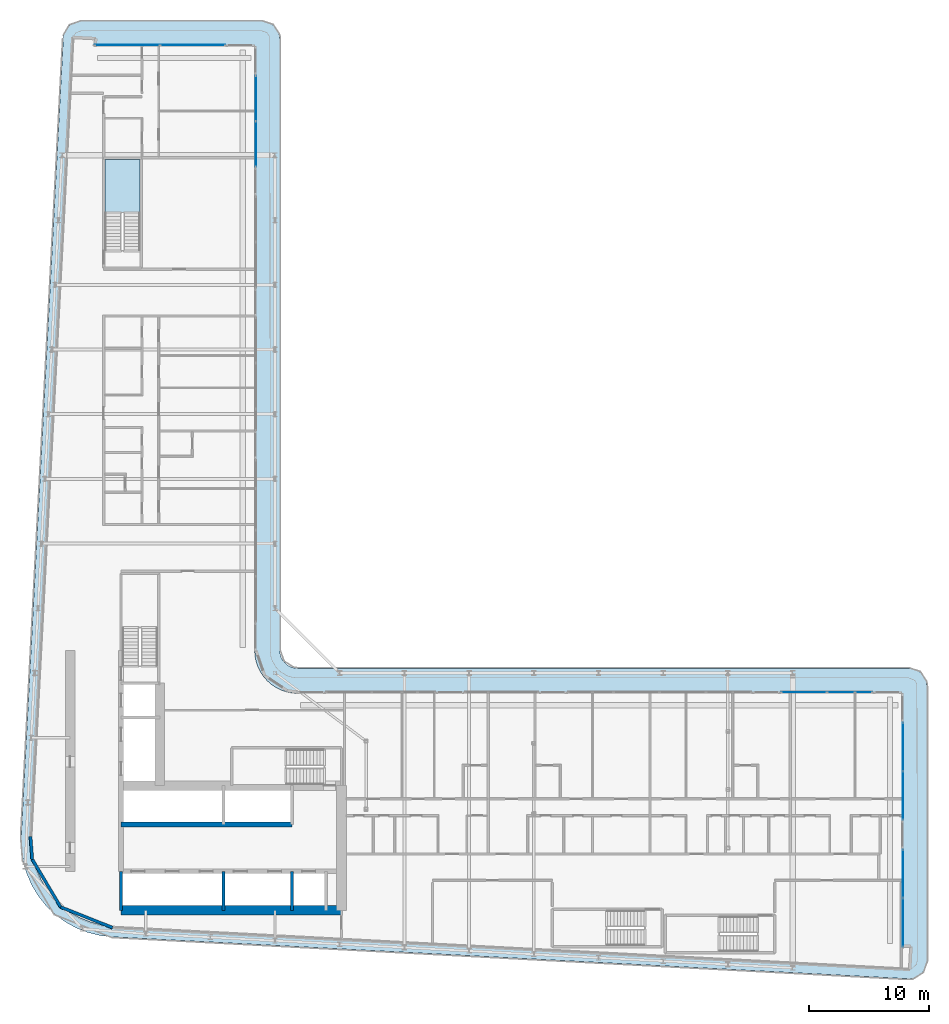
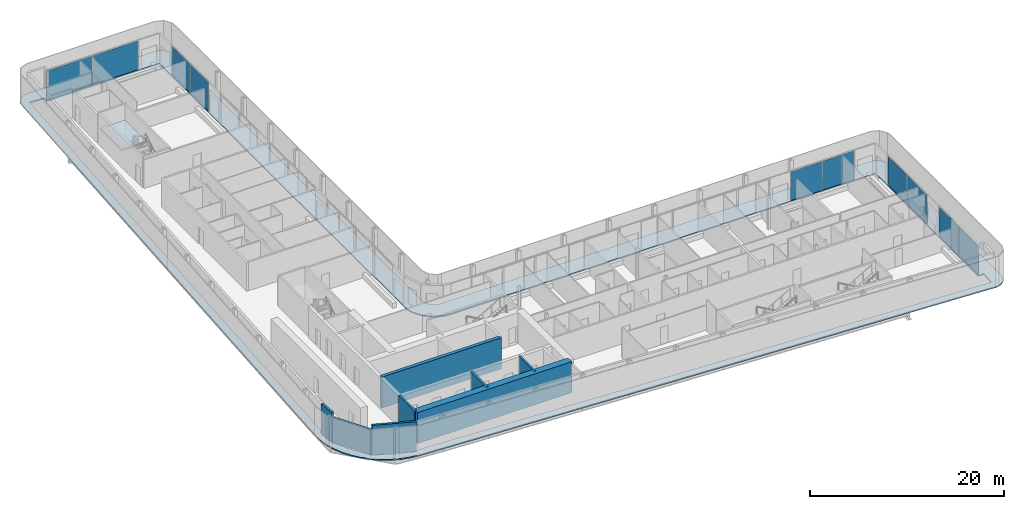
# One storey, part 13 of 28: 11 plates, 8 walls, 2 slabs, 6 elements without a shape of their own.
"""IFC4 building model written with IfcOpenShell, lengths in metres."""

from ifc_helpers import new_model, si_unit, direction, frame, frame_2d, origin, origin_2d, place, context, subcontext, project, spatial, polyline, rectangle, outline, extrude, material, layer, layer_set, type_object, element, aggregate, save


model = new_model("IFC4")

# Units and contexts
model_context = context("Model", 3, precision=1e-05, world=origin(), true_north=direction((0.0, 1.0)))
body_context = subcontext(model_context, "Body", "Model", "MODEL_VIEW")
ifc_project = project(units=[si_unit("LENGTHUNIT", "METRE"), si_unit("AREAUNIT", "SQUARE_METRE"), si_unit("VOLUMEUNIT", "CUBIC_METRE"), si_unit("PLANEANGLEUNIT", "RADIAN"), si_unit("MASSUNIT", "GRAM", prefix="KILO")], contexts=[model_context])

# Site, building, storey
site_placement = place(None, origin())
site = spatial("IfcSite", under=ifc_project, at=site_placement, CompositionType="ELEMENT")
building_placement = place(site_placement, origin())
building = spatial("IfcBuilding", under=site, at=building_placement, Name="Kheshtan School and Residences Tower", CompositionType="ELEMENT")
storey_placement = place(building_placement, frame((0.0, 0.0, 191.60009765625)))
storey = spatial("IfcBuildingStorey", under=building, at=storey_placement, Name="L45", CompositionType="ELEMENT", Elevation=191.60009765625)

# Curtain wall, plates
ifc_material_1 = material(Name="Clear low-e glass in thermally broken aluminium frame", Category="aluminium")
ifc_layer_1 = layer(ifc_material_1, 0.199951171875)
ifc_layer_set_1 = layer_set([ifc_layer_1], Name="Curtain wall CW-L")
curtain_wall_type = type_object("IfcCurtainWallType", Name="Curtain wall CW-L", PredefinedType="NOTDEFINED", material=ifc_layer_set_1)
curtain_wall_1_placement = place(storey_placement, origin())
curtain_wall_1 = element("IfcCurtainWall", 1, at=curtain_wall_1_placement, inside=storey, type_object=curtain_wall_type, Name="Curtain wall CWL7", PredefinedType="NOTDEFINED")
ifc_layer_2 = layer(ifc_material_1, 0.031982421875)
ifc_layer_set_2 = layer_set([ifc_layer_2], Name="CW-L glass panel")
plate_type = type_object("IfcPlateType", Name="CW-L glass panel", PredefinedType="CURTAIN_PANEL", material=ifc_layer_set_2)
plate_1_placement = place(storey_placement, frame((35.259033203125, 98.0, 0.0), z_axis=(0.0, 0.0, 1.0), x_axis=(1.0, 0.0, 0.0)))
plate_1 = element("IfcPlate", 2, at=plate_1_placement, type_object=plate_type, Name="CWL7 panel 1.1", PredefinedType="CURTAIN_PANEL", context=body_context, shape_type="SweptSolid", body=[
    extrude(rectangle(XDim=5.4140625, YDim=0.031982421875, at=origin_2d()), origin(), (0.0, 0.0, 1.0), 3.6298828125),
])
plate_2_placement = place(storey_placement, frame((40.73291015625, 98.0, 0.0), z_axis=(0.0, 0.0, 1.0), x_axis=(1.0, 0.0, 0.0)))
plate_2 = element("IfcPlate", 3, at=plate_2_placement, type_object=plate_type, Name="CWL7 panel 2.1", PredefinedType="CURTAIN_PANEL", context=body_context, shape_type="SweptSolid", body=[
    extrude(rectangle(XDim=5.4140625, YDim=0.031982421875, at=origin_2d()), origin(), (0.0, 0.0, 1.0), 3.6298828125),
])
aggregate(curtain_wall_1, [plate_1, plate_2])

curtain_wall_2_placement = place(storey_placement, origin())
curtain_wall_2 = element("IfcCurtainWall", 4, at=curtain_wall_2_placement, inside=storey, type_object=curtain_wall_type, Name="Curtain wall CWL8", PredefinedType="NOTDEFINED")
plate_3_placement = place(storey_placement, frame((46.0, 93.5615234375, 0.0), z_axis=(0.0, 0.0, 1.0), x_axis=(0.0, -1.0, 0.0)))
plate_3 = element("IfcPlate", 5, at=plate_3_placement, type_object=plate_type, Name="CWL8 panel 1.1", PredefinedType="CURTAIN_PANEL", context=body_context, shape_type="SweptSolid", body=[
    extrude(rectangle(XDim=3.757080078125, YDim=0.031982421875, at=origin_2d()), origin(), (0.0, 0.0, 1.0), 3.6298828125),
])
plate_4_placement = place(storey_placement, frame((46.0, 89.744384765625, 0.0), z_axis=(0.0, 0.0, 1.0), x_axis=(0.0, -1.0, 0.0)))
plate_4 = element("IfcPlate", 6, at=plate_4_placement, type_object=plate_type, Name="CWL8 panel 2.1", PredefinedType="CURTAIN_PANEL", context=body_context, shape_type="SweptSolid", body=[
    extrude(rectangle(XDim=3.757080078125, YDim=0.031982421875, at=origin_2d()), origin(), (0.0, 0.0, 1.0), 3.6298828125),
])
aggregate(curtain_wall_2, [plate_3, plate_4])

curtain_wall_3_placement = place(storey_placement, origin())
curtain_wall_3 = element("IfcCurtainWall", 7, at=curtain_wall_3_placement, inside=storey, type_object=curtain_wall_type, Name="Curtain wall CWL12k", PredefinedType="NOTDEFINED")
plate_5_placement = place(storey_placement, frame((91.744384765625, 44.0, 0.0), z_axis=(0.0, 0.0, 1.0), x_axis=(1.0, 0.0, 0.0)))
plate_5 = element("IfcPlate", 8, at=plate_5_placement, type_object=plate_type, Name="CWL12k panel 1.1", PredefinedType="CURTAIN_PANEL", context=body_context, shape_type="SweptSolid", body=[
    extrude(rectangle(XDim=3.757080078125, YDim=0.031982421875, at=origin_2d()), origin(), (0.0, 0.0, 1.0), 3.6298828125),
])
plate_6_placement = place(storey_placement, frame((94.826416015625, 44.0, 0.0), z_axis=(0.0, 0.0, 1.0), x_axis=(1.0, 0.0, 0.0)))
plate_6 = element("IfcPlate", 9, at=plate_6_placement, type_object=plate_type, Name="CWL12k panel 2.1", PredefinedType="CURTAIN_PANEL", context=body_context, shape_type="SweptSolid", body=[
    extrude(rectangle(XDim=2.287109375, YDim=0.031982421875, at=origin_2d()), origin(), (0.0, 0.0, 1.0), 3.6298828125),
])
plate_7_placement = place(storey_placement, frame((96.735107421875, 44.0, 0.0), z_axis=(0.0, 0.0, 1.0), x_axis=(1.0, 0.0, 0.0)))
plate_7 = element("IfcPlate", 10, at=plate_7_placement, type_object=plate_type, Name="CWL12k panel 3.1", PredefinedType="CURTAIN_PANEL", context=body_context, shape_type="SweptSolid", body=[
    extrude(rectangle(XDim=1.409912109375, YDim=0.031982421875, at=origin_2d()), origin(), (0.0, 0.0, 1.0), 3.6298828125),
])
aggregate(curtain_wall_3, [plate_5, plate_6, plate_7])

curtain_wall_4_placement = place(storey_placement, origin())
curtain_wall_4 = element("IfcCurtainWall", 11, at=curtain_wall_4_placement, inside=storey, type_object=curtain_wall_type, Name="Curtain wall CWL13b", PredefinedType="NOTDEFINED")
plate_8_placement = place(storey_placement, frame((100.0, 39.436767578125, 0.0), z_axis=(0.0, 0.0, 1.0), x_axis=(0.0, -1.0, 0.0)))
plate_8 = element("IfcPlate", 12, at=plate_8_placement, type_object=plate_type, Name="CWL13b panel 1.1", PredefinedType="CURTAIN_PANEL", context=body_context, shape_type="SweptSolid", body=[
    extrude(rectangle(XDim=4.006591796875, YDim=0.031982421875, at=origin_2d()), origin(), (0.0, 0.0, 1.0), 3.6298828125),
])
plate_9_placement = place(storey_placement, frame((100.0, 35.370361328125, 0.0), z_axis=(0.0, 0.0, 1.0), x_axis=(0.0, -1.0, 0.0)))
plate_9 = element("IfcPlate", 13, at=plate_9_placement, type_object=plate_type, Name="CWL13b panel 2.1", PredefinedType="CURTAIN_PANEL", context=body_context, shape_type="SweptSolid", body=[
    extrude(rectangle(XDim=4.006591796875, YDim=0.031982421875, at=origin_2d()), origin(), (0.0, 0.0, 1.0), 3.6298828125),
])
aggregate(curtain_wall_4, [plate_8, plate_9])

curtain_wall_5_placement = place(storey_placement, origin())
curtain_wall_5 = element("IfcCurtainWall", 14, at=curtain_wall_5_placement, inside=storey, type_object=curtain_wall_type, Name="Curtain wall CWL13b", PredefinedType="NOTDEFINED")
plate_10_placement = place(storey_placement, frame((100.0, 28.84375, 0.0), z_axis=(0.0, 0.0, 1.0), x_axis=(0.0, -1.0, 0.0)))
plate_10 = element("IfcPlate", 15, at=plate_10_placement, type_object=plate_type, Name="CWL13b panel 1.1", PredefinedType="CURTAIN_PANEL", context=body_context, shape_type="SweptSolid", body=[
    extrude(rectangle(XDim=4.006591796875, YDim=0.031982421875, at=origin_2d()), origin(), (0.0, 0.0, 1.0), 3.6298828125),
])
plate_11_placement = place(storey_placement, frame((100.0, 24.77734375, 0.0), z_axis=(0.0, 0.0, 1.0), x_axis=(0.0, -1.0, 0.0)))
plate_11 = element("IfcPlate", 16, at=plate_11_placement, type_object=plate_type, Name="CWL13b panel 2.1", PredefinedType="CURTAIN_PANEL", context=body_context, shape_type="SweptSolid", body=[
    extrude(rectangle(XDim=4.006591796875, YDim=0.031982421875, at=origin_2d()), origin(), (0.0, 0.0, 1.0), 3.6298828125),
])
aggregate(curtain_wall_5, [plate_10, plate_11])

# Slab
ifc_material_2 = material(Name="Concrete C40/50", Category="concrete")
ifc_layer_3 = layer(ifc_material_2, 0.14990234375)
ifc_layer_set_3 = layer_set([ifc_layer_3], Name="Loggia balcony slab 150 Concrete C40/50")
slab_type_1 = type_object("IfcSlabType", Name="Loggia balcony slab 150 Concrete C40/50", PredefinedType="FLOOR", material=ifc_layer_set_3)
slab_1_placement = place(storey_placement, frame((0.0, 0.0, -0.150146484375)))
element("IfcSlab", 17, at=slab_1_placement, inside=storey, type_object=slab_type_1, Name="Loggia balcony slab L45", PredefinedType="FLOOR", context=body_context, shape_type="SweptSolid", body=[
    extrude(outline(polyline([(28.4580078125, 26.222900390625), (28.45703125, 26.222900390625), (28.45703125, 26.22412109375), (28.4560546875, 26.22412109375), (27.81494140625, 27.0390625), (27.281005859375, 27.93798828125), (26.867919921875, 28.89990234375), (26.583984375, 29.89990234375), (26.583984375, 29.906982421875), (26.43408203125, 30.943115234375), (26.419921875, 31.989013671875), (29.925048828125, 98.5791015625), (29.930908203125, 98.626953125), (29.930908203125, 98.6279296875), (29.929931640625, 98.6279296875), (29.929931640625, 98.62890625), (29.928955078125, 98.62890625), (29.928955078125, 98.6298828125), (29.927978515625, 98.6298828125), (29.927978515625, 98.631103515625), (29.927001953125, 98.631103515625), (29.927001953125, 98.632080078125), (29.927001953125, 98.633056640625), (29.945068359375, 98.781005859375), (29.945068359375, 98.783935546875), (29.945068359375, 98.784912109375), (29.946044921875, 98.784912109375), (29.946044921875, 98.785888671875), (29.947021484375, 98.785888671875), (29.947021484375, 98.787109375), (29.947998046875, 98.787109375), (29.948974609375, 98.787109375), (29.948974609375, 98.7880859375), (29.949951171875, 98.7880859375), (29.949951171875, 98.7890625), (29.949951171875, 98.791015625), (30.0029296875, 98.98388671875), (30.083984375, 99.175048828125), (30.18896484375, 99.35302734375), (30.31103515625, 99.507080078125), (30.31201171875, 99.507080078125), (30.31201171875, 99.508056640625), (30.31298828125, 99.508056640625), (30.31298828125, 99.509033203125), (30.31396484375, 99.509033203125), (30.31396484375, 99.510009765625), (30.31494140625, 99.510009765625), (30.31494140625, 99.510986328125), (30.31591796875, 99.510986328125), (30.31591796875, 99.511962890625), (30.31689453125, 99.511962890625), (30.31689453125, 99.512939453125), (30.318115234375, 99.512939453125), (30.320068359375, 99.512939453125), (30.321044921875, 99.512939453125), (30.321044921875, 99.513916015625), (30.468017578125, 99.656982421875), (30.468994140625, 99.656982421875), (30.468994140625, 99.657958984375), (30.469970703125, 99.657958984375), (30.469970703125, 99.658935546875), (30.470947265625, 99.658935546875), (30.470947265625, 99.659912109375), (30.471923828125, 99.659912109375), (30.471923828125, 99.660888671875), (30.472900390625, 99.660888671875), (30.472900390625, 99.662109375), (30.47412109375, 99.662109375), (30.47412109375, 99.6630859375), (30.47509765625, 99.6630859375), (30.47509765625, 99.6640625), (30.635986328125, 99.777099609375), (30.820068359375, 99.873046875), (31.007080078125, 99.943115234375), (31.013916015625, 99.943115234375), (31.217041015625, 99.986083984375), (31.423095703125, 100.0), (46.5, 100.0), (46.696044921875, 99.987060546875), (46.887939453125, 99.948974609375), (46.89501953125, 99.948974609375), (47.073974609375, 99.885986328125), (47.243896484375, 99.801025390625), (47.2451171875, 99.801025390625), (47.2470703125, 99.801025390625), (47.248046875, 99.801025390625), (47.248046875, 99.802001953125), (47.2490234375, 99.802001953125), (47.2490234375, 99.802978515625), (47.25, 99.802978515625), (47.2529296875, 99.802978515625), (47.25390625, 99.802978515625), (47.25390625, 99.802001953125), (47.2548828125, 99.802001953125), (47.2548828125, 99.801025390625), (47.256103515625, 99.801025390625), (47.256103515625, 99.800048828125), (47.257080078125, 99.800048828125), (47.257080078125, 99.799072265625), (47.258056640625, 99.799072265625), (47.258056640625, 99.798095703125), (47.412109375, 99.696044921875), (47.4130859375, 99.696044921875), (47.4130859375, 99.695068359375), (47.4140625, 99.695068359375), (47.4140625, 99.694091796875), (47.4140625, 99.68994140625), (47.4140625, 99.68896484375), (47.4150390625, 99.68896484375), (47.4150390625, 99.68798828125), (47.416015625, 99.68798828125), (47.416015625, 99.68701171875), (47.4169921875, 99.68701171875), (47.4169921875, 99.68603515625), (47.554931640625, 99.568115234375), (47.554931640625, 99.56689453125), (47.555908203125, 99.56689453125), (47.555908203125, 99.56591796875), (47.556884765625, 99.56591796875), (47.556884765625, 99.56494140625), (47.55810546875, 99.56494140625), (47.55810546875, 99.56396484375), (47.55908203125, 99.56396484375), (47.55908203125, 99.56298828125), (47.56005859375, 99.56298828125), (47.56005859375, 99.56201171875), (47.56103515625, 99.56201171875), (47.56201171875, 99.56103515625), (47.56201171875, 99.56005859375), (47.56298828125, 99.56005859375), (47.56298828125, 99.55908203125), (47.56396484375, 99.55908203125), (47.56396484375, 99.55810546875), (47.56494140625, 99.55810546875), (47.56494140625, 99.556884765625), (47.56591796875, 99.556884765625), (47.56591796875, 99.555908203125), (47.56689453125, 99.555908203125), (47.56689453125, 99.554931640625), (47.568115234375, 99.554931640625), (47.68505859375, 99.41796875), (47.68603515625, 99.41796875), (47.68603515625, 99.4169921875), (47.68701171875, 99.4169921875), (47.68701171875, 99.416015625), (47.68798828125, 99.416015625), (47.68798828125, 99.4150390625), (47.68896484375, 99.4150390625), (47.68896484375, 99.4140625), (47.68994140625, 99.4140625), (47.694091796875, 99.4140625), (47.695068359375, 99.4140625), (47.695068359375, 99.4130859375), (47.696044921875, 99.4130859375), (47.696044921875, 99.412109375), (47.797119140625, 99.259033203125), (47.798095703125, 99.259033203125), (47.798095703125, 99.258056640625), (47.799072265625, 99.258056640625), (47.799072265625, 99.257080078125), (47.800048828125, 99.257080078125), (47.800048828125, 99.256103515625), (47.801025390625, 99.256103515625), (47.801025390625, 99.2548828125), (47.802001953125, 99.2548828125), (47.802001953125, 99.25390625), (47.802978515625, 99.25390625), (47.802978515625, 99.2529296875), (47.802978515625, 99.25), (47.802978515625, 99.2490234375), (47.802001953125, 99.2490234375), (47.802001953125, 99.248046875), (47.801025390625, 99.248046875), (47.801025390625, 99.2470703125), (47.801025390625, 99.243896484375), (47.801025390625, 99.242919921875), (47.885986328125, 99.073974609375), (47.948974609375, 98.89501953125), (47.948974609375, 98.887939453125), (47.987060546875, 98.696044921875), (48.0, 98.5), (48.0, 47.5), (48.012939453125, 47.303955078125), (48.051025390625, 47.113037109375), (48.051025390625, 47.10693359375), (48.051025390625, 47.10595703125), (48.114013671875, 46.926025390625), (48.200927734375, 46.75), (48.31005859375, 46.5869140625), (48.431884765625, 46.444091796875), (48.43310546875, 46.444091796875), (48.43310546875, 46.443115234375), (48.43408203125, 46.443115234375), (48.43408203125, 46.44189453125), (48.43505859375, 46.44189453125), (48.43505859375, 46.44091796875), (48.43603515625, 46.44091796875), (48.43603515625, 46.43994140625), (48.43701171875, 46.43994140625), (48.43701171875, 46.43896484375), (48.43798828125, 46.43896484375), (48.43896484375, 46.43798828125), (48.43896484375, 46.43701171875), (48.43994140625, 46.43701171875), (48.43994140625, 46.43603515625), (48.44091796875, 46.43603515625), (48.44091796875, 46.43505859375), (48.44189453125, 46.43505859375), (48.44189453125, 46.43408203125), (48.443115234375, 46.43408203125), (48.443115234375, 46.43310546875), (48.444091796875, 46.43310546875), (48.444091796875, 46.431884765625), (48.5869140625, 46.31005859375), (48.75, 46.200927734375), (48.926025390625, 46.114013671875), (49.10595703125, 46.051025390625), (49.10693359375, 46.051025390625), (49.113037109375, 46.051025390625), (49.303955078125, 46.012939453125), (49.5, 46.0), (100.5, 46.0), (100.696044921875, 45.987060546875), (100.887939453125, 45.948974609375), (100.89501953125, 45.948974609375), (101.073974609375, 45.885986328125), (101.241943359375, 45.801025390625), (101.242919921875, 45.801025390625), (101.2470703125, 45.801025390625), (101.248046875, 45.801025390625), (101.248046875, 45.802001953125), (101.2490234375, 45.802001953125), (101.2490234375, 45.802978515625), (101.25, 45.802978515625), (101.2529296875, 45.802978515625), (101.25390625, 45.802978515625), (101.25390625, 45.802001953125), (101.2548828125, 45.802001953125), (101.2548828125, 45.801025390625), (101.256103515625, 45.801025390625), (101.256103515625, 45.800048828125), (101.257080078125, 45.800048828125), (101.257080078125, 45.799072265625), (101.258056640625, 45.799072265625), (101.258056640625, 45.798095703125), (101.259033203125, 45.798095703125), (101.259033203125, 45.797119140625), (101.260009765625, 45.797119140625), (101.260009765625, 45.7958984375), (101.412109375, 45.696044921875), (101.4130859375, 45.696044921875), (101.4130859375, 45.695068359375), (101.4140625, 45.695068359375), (101.4140625, 45.694091796875), (101.4140625, 45.68994140625), (101.4140625, 45.68896484375), (101.4150390625, 45.68896484375), (101.4150390625, 45.68798828125), (101.416015625, 45.68798828125), (101.416015625, 45.68701171875), (101.4169921875, 45.68701171875), (101.4169921875, 45.68603515625), (101.41796875, 45.68603515625), (101.41796875, 45.68505859375), (101.4189453125, 45.68505859375), (101.4189453125, 45.68408203125), (101.554931640625, 45.568115234375), (101.554931640625, 45.56689453125), (101.555908203125, 45.56689453125), (101.555908203125, 45.56591796875), (101.556884765625, 45.56591796875), (101.556884765625, 45.56494140625), (101.55810546875, 45.56494140625), (101.55810546875, 45.56396484375), (101.55908203125, 45.56396484375), (101.55908203125, 45.56298828125), (101.56005859375, 45.56298828125), (101.56005859375, 45.56201171875), (101.56103515625, 45.56201171875), (101.56201171875, 45.56103515625), (101.56201171875, 45.56005859375), (101.56298828125, 45.56005859375), (101.56298828125, 45.55908203125), (101.56396484375, 45.55908203125), (101.56396484375, 45.55810546875), (101.56494140625, 45.55810546875), (101.56494140625, 45.556884765625), (101.56591796875, 45.556884765625), (101.56591796875, 45.555908203125), (101.56689453125, 45.555908203125), (101.56689453125, 45.554931640625), (101.568115234375, 45.554931640625), (101.681884765625, 45.4208984375), (101.68310546875, 45.4208984375), (101.68310546875, 45.419921875), (101.68408203125, 45.419921875), (101.68408203125, 45.4189453125), (101.68505859375, 45.4189453125), (101.68505859375, 45.41796875), (101.68603515625, 45.41796875), (101.68603515625, 45.4169921875), (101.68701171875, 45.4169921875), (101.68701171875, 45.416015625), (101.68798828125, 45.416015625), (101.68798828125, 45.4150390625), (101.68896484375, 45.4150390625), (101.68896484375, 45.4140625), (101.68994140625, 45.4140625), (101.694091796875, 45.4140625), (101.695068359375, 45.4140625), (101.695068359375, 45.4130859375), (101.696044921875, 45.4130859375), (101.696044921875, 45.412109375), (101.7939453125, 45.261962890625), (101.794921875, 45.261962890625), (101.794921875, 45.260986328125), (101.7958984375, 45.260986328125), (101.7958984375, 45.260009765625), (101.797119140625, 45.260009765625), (101.797119140625, 45.259033203125), (101.798095703125, 45.259033203125), (101.798095703125, 45.258056640625), (101.799072265625, 45.258056640625), (101.799072265625, 45.257080078125), (101.800048828125, 45.257080078125), (101.800048828125, 45.256103515625), (101.801025390625, 45.256103515625), (101.801025390625, 45.2548828125), (101.802001953125, 45.2548828125), (101.802001953125, 45.25390625), (101.802978515625, 45.25390625), (101.802978515625, 45.2529296875), (101.802978515625, 45.25), (101.802978515625, 45.2490234375), (101.802001953125, 45.2490234375), (101.802001953125, 45.248046875), (101.801025390625, 45.248046875), (101.801025390625, 45.2470703125), (101.801025390625, 45.240966796875), (101.801025390625, 45.239990234375), (101.885986328125, 45.073974609375), (101.948974609375, 44.89501953125), (101.948974609375, 44.887939453125), (101.987060546875, 44.696044921875), (102.0, 44.5), (102.0, 21.5810546875), (101.986083984375, 21.37890625), (101.945068359375, 21.179931640625), (101.945068359375, 21.173095703125), (101.8779296875, 20.989013671875), (101.785888671875, 20.80810546875), (101.6708984375, 20.64306640625), (101.6708984375, 20.64208984375), (101.6708984375, 20.64111328125), (101.6708984375, 20.639892578125), (101.672119140625, 20.639892578125), (101.672119140625, 20.638916015625), (101.672119140625, 20.636962890625), (101.672119140625, 20.635986328125), (101.6708984375, 20.635986328125), (101.6708984375, 20.635009765625), (101.5380859375, 20.491943359375), (101.534912109375, 20.489013671875), (101.533935546875, 20.489013671875), (101.533935546875, 20.488037109375), (101.532958984375, 20.488037109375), (101.531005859375, 20.488037109375), (101.530029296875, 20.488037109375), (101.530029296875, 20.489013671875), (101.529052734375, 20.489013671875), (101.528076171875, 20.489013671875), (101.527099609375, 20.489013671875), (101.3759765625, 20.364013671875), (101.2041015625, 20.256103515625), (101.01904296875, 20.174072265625), (100.8310546875, 20.116943359375), (100.823974609375, 20.116943359375), (100.6240234375, 20.0859375), (100.4208984375, 20.0830078125), (33.989013671875, 23.580078125), (33.94189453125, 23.5859375), (33.94091796875, 23.5859375), (33.93994140625, 23.5859375), (33.93994140625, 23.5849609375), (33.93896484375, 23.5849609375), (33.93896484375, 23.583984375), (33.93798828125, 23.583984375), (33.93798828125, 23.5830078125), (33.93701171875, 23.5830078125), (33.93701171875, 23.58203125), (33.93603515625, 23.58203125), (33.93505859375, 23.58203125), (32.952880859375, 23.697998046875), (32.949951171875, 23.697998046875), (32.948974609375, 23.697998046875), (32.948974609375, 23.698974609375), (32.947998046875, 23.698974609375), (32.947998046875, 23.699951171875), (32.947021484375, 23.699951171875), (32.947021484375, 23.700927734375), (32.947021484375, 23.702880859375), (32.947021484375, 23.7041015625), (32.946044921875, 23.7041015625), (32.946044921875, 23.705078125), (32.945068359375, 23.705078125), (32.944091796875, 23.705078125), (31.93603515625, 23.9609375), (31.928955078125, 23.9609375), (30.964111328125, 24.34912109375), (30.051025390625, 24.860107421875), (29.218994140625, 25.47900390625), (29.218994140625, 25.47998046875), (29.218017578125, 25.47998046875), (29.218017578125, 25.48095703125), (29.217041015625, 25.48095703125), (29.217041015625, 25.48193359375), (29.216064453125, 25.48193359375), (29.216064453125, 25.48291015625), (29.215087890625, 25.48291015625), (29.215087890625, 25.48388671875), (29.214111328125, 25.48388671875), (29.214111328125, 25.485107421875), (29.212890625, 25.485107421875), (29.212890625, 25.486083984375), (29.2119140625, 25.486083984375), (28.466064453125, 26.217041015625), (28.466064453125, 26.218017578125), (28.465087890625, 26.218017578125), (28.462890625, 26.218017578125), (28.4619140625, 26.218017578125), (28.4619140625, 26.218994140625), (28.4609375, 26.218994140625), (28.4609375, 26.219970703125), (28.4599609375, 26.219970703125), (28.4599609375, 26.220947265625), (28.458984375, 26.220947265625), (28.458984375, 26.221923828125), (28.4580078125, 26.221923828125), (28.4580078125, 26.222900390625)]), holes=[polyline([(29.12890625, 26.824951171875), (29.12890625, 26.823974609375), (29.1298828125, 26.823974609375), (29.1298828125, 26.822998046875), (29.131103515625, 26.822998046875), (29.131103515625, 26.822021484375), (29.132080078125, 26.822021484375), (29.132080078125, 26.821044921875), (29.133056640625, 26.821044921875), (29.133056640625, 26.820068359375), (29.134033203125, 26.820068359375), (29.7958984375, 26.173095703125), (29.7958984375, 26.172119140625), (29.797119140625, 26.172119140625), (29.798095703125, 26.172119140625), (29.799072265625, 26.172119140625), (29.799072265625, 26.1708984375), (29.800048828125, 26.1708984375), (29.800048828125, 26.169921875), (29.801025390625, 26.169921875), (29.801025390625, 26.1689453125), (29.802001953125, 26.1689453125), (29.802001953125, 26.16796875), (29.802978515625, 26.16796875), (29.802978515625, 26.1669921875), (29.803955078125, 26.1669921875), (29.803955078125, 26.166015625), (30.541015625, 25.616943359375), (31.35205078125, 25.1630859375), (32.208984375, 24.819091796875), (32.2099609375, 24.819091796875), (32.216064453125, 24.819091796875), (33.114990234375, 24.590087890625), (34.06591796875, 24.47705078125), (100.43798828125, 20.98291015625), (100.465087890625, 20.98388671875), (100.466064453125, 20.98388671875), (100.467041015625, 20.98388671875), (100.467041015625, 20.985107421875), (100.468017578125, 20.985107421875), (100.468017578125, 20.986083984375), (100.468017578125, 20.987060546875), (100.55810546875, 22.676025390625), (100.55810546875, 22.677001953125), (100.55810546875, 22.677978515625), (100.556884765625, 22.677978515625), (100.556884765625, 22.678955078125), (100.555908203125, 22.678955078125), (100.554931640625, 22.678955078125), (99.90087890625, 22.714111328125), (99.89990234375, 22.714111328125), (99.89990234375, 22.715087890625), (99.89990234375, 43.89794921875), (99.89990234375, 43.89892578125), (99.89892578125, 43.89892578125), (99.89892578125, 43.89990234375), (99.89794921875, 43.89990234375), (49.429931640625, 43.89990234375), (49.030029296875, 43.927001953125), (48.569091796875, 44.01806640625), (48.56201171875, 44.01806640625), (48.1201171875, 44.169921875), (47.697021484375, 44.37890625), (47.30810546875, 44.638916015625), (46.95703125, 44.944091796875), (46.95703125, 44.945068359375), (46.9560546875, 44.945068359375), (46.9560546875, 44.946044921875), (46.955078125, 44.946044921875), (46.955078125, 44.947021484375), (46.9541015625, 44.947021484375), (46.9541015625, 44.947998046875), (46.952880859375, 44.947998046875), (46.952880859375, 44.948974609375), (46.951904296875, 44.948974609375), (46.951904296875, 44.949951171875), (46.951904296875, 44.950927734375), (46.950927734375, 44.950927734375), (46.950927734375, 44.951904296875), (46.949951171875, 44.951904296875), (46.948974609375, 44.951904296875), (46.948974609375, 44.952880859375), (46.947998046875, 44.952880859375), (46.947998046875, 44.9541015625), (46.947021484375, 44.9541015625), (46.947021484375, 44.955078125), (46.946044921875, 44.955078125), (46.946044921875, 44.9560546875), (46.945068359375, 44.9560546875), (46.945068359375, 44.95703125), (46.944091796875, 44.95703125), (46.638916015625, 45.30810546875), (46.37890625, 45.697021484375), (46.169921875, 46.1201171875), (46.01806640625, 46.56201171875), (46.01806640625, 46.569091796875), (45.927001953125, 47.030029296875), (45.89990234375, 47.429931640625), (45.89990234375, 97.89794921875), (45.89990234375, 97.89892578125), (45.89892578125, 97.89892578125), (45.89892578125, 97.89990234375), (45.89794921875, 97.89990234375), (32.492919921875, 97.89990234375), (32.491943359375, 97.89990234375), (32.52099609375, 98.43896484375), (32.52099609375, 98.43994140625), (32.52099609375, 98.44091796875), (32.52001953125, 98.44091796875), (32.52001953125, 98.44189453125), (32.51904296875, 98.44189453125), (32.51806640625, 98.44189453125), (30.8291015625, 98.531982421875), (30.827880859375, 98.531982421875), (30.826904296875, 98.531982421875), (30.826904296875, 98.531005859375), (30.825927734375, 98.531005859375), (30.825927734375, 98.530029296875), (30.825927734375, 98.529052734375), (30.822021484375, 98.5009765625), (27.320068359375, 31.970947265625), (27.3330078125, 31.013916015625), (27.466064453125, 30.093994140625), (27.466064453125, 30.087890625), (27.466064453125, 30.0869140625), (27.718017578125, 29.200927734375), (28.0849609375, 28.345947265625), (28.55908203125, 27.550048828125), (29.126953125, 26.825927734375), (29.1279296875, 26.825927734375), (29.1279296875, 26.824951171875), (29.12890625, 26.824951171875)])]), origin(), (0.0, 0.0, 1.0), 0.150146484375),
])

# Stair, slab
stair_type = type_object("IfcStairType", Name="Exit stair, half-turn", PredefinedType="HALF_TURN_STAIR", material=ifc_material_2)
stair_placement = place(storey_placement, origin())
stair = element("IfcStair", 18, at=stair_placement, inside=storey, type_object=stair_type, Name="L45 Protected Exit Stair ST3", PredefinedType="HALF_TURN_STAIR")
ifc_layer_4 = layer(ifc_material_2, 0.199951171875)
ifc_layer_set_4 = layer_set([ifc_layer_4], Name="Stair landing 200 Concrete C40/50")
slab_type_2 = type_object("IfcSlabType", Name="Stair landing 200 Concrete C40/50", PredefinedType="LANDING", material=ifc_layer_set_4)
slab_2_placement = place(storey_placement, frame((0.0, 0.0, 1.75)))
slab_2 = element("IfcSlab", 19, at=slab_2_placement, type_object=slab_type_2, Name="ST3 landing 1", PredefinedType="LANDING", context=body_context, shape_type="SweptSolid", body=[
    extrude(outline(polyline([(36.35009765625, 83.97998046875), (36.35009765625, 88.4599609375), (33.39990234375, 88.4599609375), (33.39990234375, 83.97998046875), (36.35009765625, 83.97998046875)])), origin(), (0.0, 0.0, 1.0), 0.199951171875),
])
aggregate(stair, [slab_2])

# Walls
ifc_material_3 = material(Name="Concrete C50/60", Category="concrete")
ifc_layer_5 = layer(ifc_material_3, 0.39990234375)
ifc_layer_set_5 = layer_set([ifc_layer_5], Name="Core wall 400 Concrete C50/60")
wall_type_1 = type_object("IfcWallType", Name="Core wall 400 Concrete C50/60", PredefinedType="SHEAR", material=ifc_layer_set_5)
wall_1_placement = place(storey_placement, frame((34.75, 32.949951171875, 0.0), z_axis=(0.0, 0.0, 1.0), x_axis=(1.0, 0.0, 0.0)))
element("IfcWall", 20, at=wall_1_placement, inside=storey, type_object=wall_type_1, Name="Core wall CW-HALL-S2", PredefinedType="SHEAR", context=body_context, shape_type="SweptSolid", body=[
    extrude(rectangle(XDim=14.25, YDim=0.39990234375, at=frame_2d((7.125, 0.0))), origin(), (0.0, 0.0, 1.0), 3.89990234375),
])
ifc_material_4 = material(Name="Concrete C70/85", Category="concrete")
ifc_layer_6 = layer(ifc_material_4, 0.800048828125)
ifc_layer_set_6 = layer_set([ifc_layer_6], Name="Core wall 800 Concrete C70/85")
wall_type_2 = type_object("IfcWallType", Name="Core wall 800 Concrete C70/85", PredefinedType="SHEAR", material=ifc_layer_set_6)
wall_2_placement = place(storey_placement, frame((34.75, 25.800048828125, 0.0), z_axis=(0.0, 0.0, 1.0), x_axis=(1.0, 0.0, 0.0)))
element("IfcWall", 21, at=wall_2_placement, inside=storey, type_object=wall_type_2, Name="Core wall CW-REAR-S", PredefinedType="SHEAR", context=body_context, shape_type="SweptSolid", body=[
    extrude(rectangle(XDim=18.39990234375, YDim=0.800048828125, at=frame_2d((9.199951171875, 0.0))), origin(), (0.0, 0.0, 1.0), 3.89990234375),
])
ifc_material_5 = material(Name="Concrete C40/50 with ceramic cladding and mineral wool insulation", Category="concrete")
ifc_layer_7 = layer(ifc_material_5, 0.25)
ifc_layer_set_7 = layer_set([ifc_layer_7], Name="External wall 250 ceramic clad")
wall_type_3 = type_object("IfcWallType", Name="External wall 250 ceramic clad", PredefinedType="SOLIDWALL", material=ifc_layer_set_7)
wall_3_placement = place(storey_placement, frame((34.0390625, 24.35302734375, 0.0), z_axis=(0.0, 0.0, 1.0), x_axis=(-0.929352825399, 0.369192803184, 0.0)))
element("IfcWall", 22, at=wall_3_placement, inside=storey, type_object=wall_type_3, Name="External wall L45 1", PredefinedType="SOLIDWALL", context=body_context, shape_type="SweptSolid", body=[
    extrude(rectangle(XDim=4.656005859375, YDim=0.25, at=frame_2d((2.328125, 0.0))), origin(), (0.0, 0.0, 1.0), 3.75),
])
wall_4_placement = place(storey_placement, frame((29.7119140625, 26.072021484375, 0.0), z_axis=(0.0, 0.0, 1.0), x_axis=(-0.511028049012, 0.859564036662, 0.0)))
element("IfcWall", 23, at=wall_4_placement, inside=storey, type_object=wall_type_3, Name="External wall L45 2", PredefinedType="SOLIDWALL", context=body_context, shape_type="SweptSolid", body=[
    extrude(rectangle(XDim=4.633544921875, YDim=0.25, at=frame_2d((2.31689453125, 0.0))), origin(), (0.0, 0.0, 1.0), 3.14697265625),
])
wall_5_placement = place(storey_placement, frame((27.343994140625, 30.054931640625, 0.0), z_axis=(0.0, 0.0, 1.0), x_axis=(-0.077571675317, 0.99698677784, 0.0)))
element("IfcWall", 24, at=wall_5_placement, inside=storey, type_object=wall_type_3, Name="External wall L45 3", PredefinedType="SOLIDWALL", context=body_context, shape_type="SweptSolid", body=[
    extrude(rectangle(XDim=1.919921875, YDim=0.25, at=frame_2d((0.9599609375, 0.0))), origin(), (0.0, 0.0, 1.0), 3.75),
])
ifc_material_6 = material(Name="Fire-board shaft wall system")
ifc_layer_8 = layer(ifc_material_6, 0.25)
ifc_layer_set_8 = layer_set([ifc_layer_8], Name="Shaft lining wall 250")
wall_type_4 = type_object("IfcWallType", Name="Shaft lining wall 250", PredefinedType="PARTITIONING", material=ifc_layer_set_8)
for number, where, z_axis, x_axis, name in (
    (25, (34.75, 25.800048828125, 0.0), (0.0, 0.0, 1.0), (0.0, 1.0, 0.0), "Shaft lining wall"),
    (26, (43.300048828125, 25.800048828125, 0.0), (0.0, 0.0, 1.0), (0.0, 1.0, 0.0), "Shaft lining wall"),
    (27, (49.0, 25.800048828125, 0.0), (0.0, 0.0, 1.0), (0.0, 1.0, 0.0), "Shaft lining wall"),
):
    element("IfcWall", number, at=place(storey_placement, frame(where, z_axis=z_axis, x_axis=x_axis)), inside=storey, type_object=wall_type_4, Name=name, PredefinedType="PARTITIONING", context=body_context, shape_type="SweptSolid", body=[
        extrude(rectangle(XDim=3.25, YDim=0.25, at=frame_2d((1.625, 0.0))), origin(), (0.0, 0.0, 1.0), 3.89990234375),
    ])

save(model, "model.ifc")
